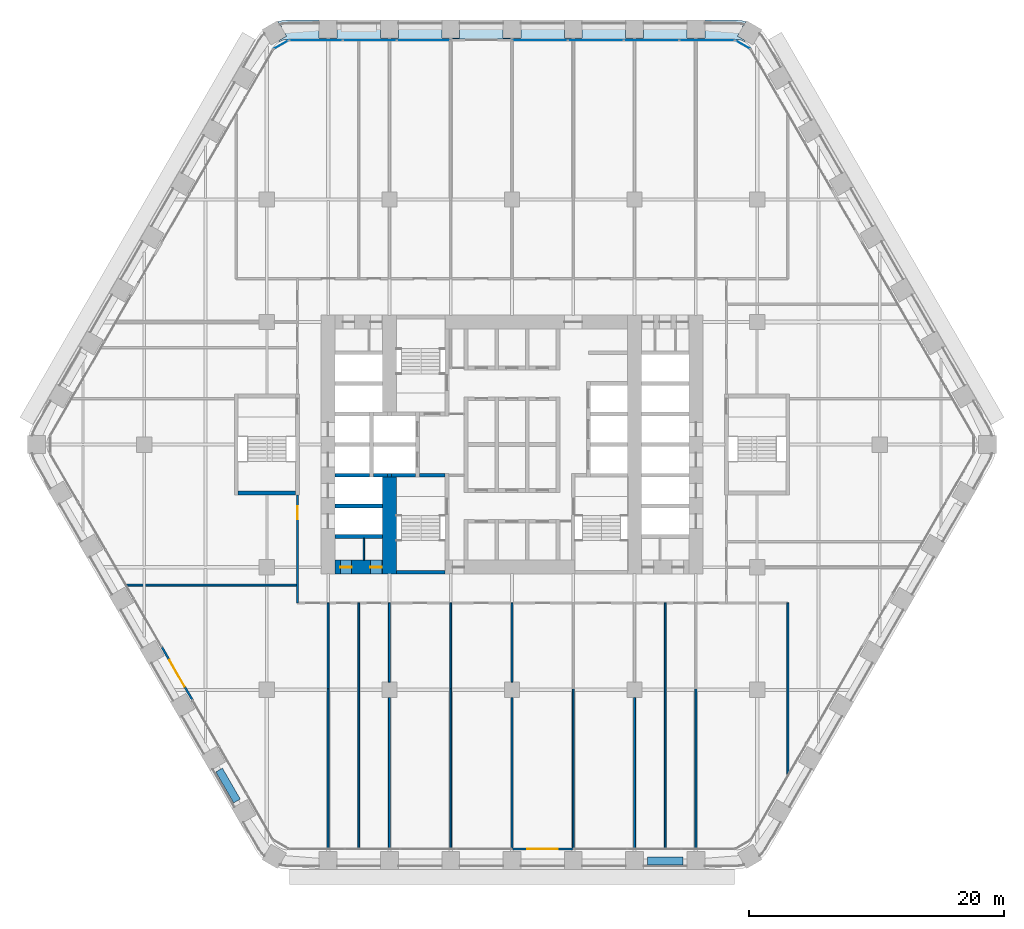
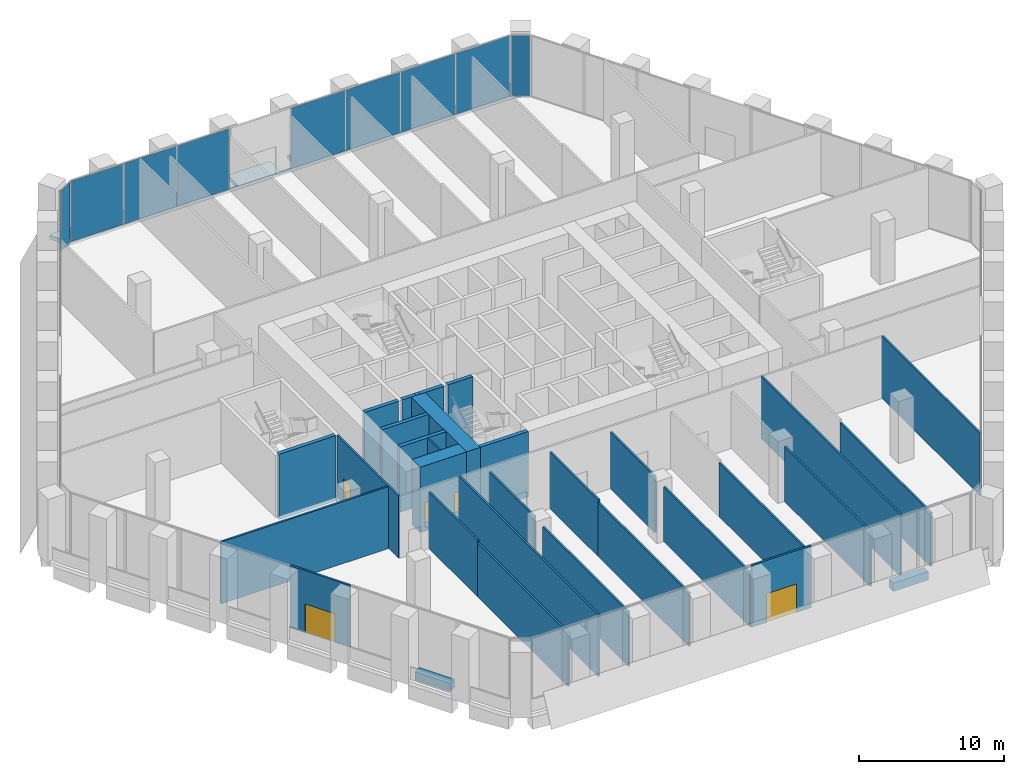
# One storey, part 17 of 27: 32 walls, 9 plates, 5 doors, 1 slab, 5 openings, 4 elements without a shape of their own.
"""IFC4 building model written with IfcOpenShell, lengths in metres."""

import ifcopenshell
import ifcopenshell.guid

model = None  # the IFC model being written
_history = None  # IfcOwnerHistory: only IFC2X3 demands one
_inside = {}  # id of a spatial element -> (the spatial element, [elements in it])
_under = {}  # id of a project, library or spatial element -> (it, [spatial elements below it])
_declared = {}  # id of a project -> (the project, [libraries it declares])
_typed = {}  # id of a type object -> (the type object, [elements of that type])
_made_of = {}  # id of a material, layer set ... -> (it, [elements and type objects made of it])


def new_model(schema):
    """Start an empty IFC model of exactly this schema.

    Asked for "IFC4X3", IfcOpenShell would pick the latest addendum, in which some entities
    have other attributes; the version numbers below select the first issue.
    IFC2X3 requires an IfcOwnerHistory on every rooted entity: one is made here for all.
    """
    global model, _history
    if schema == "IFC4X3":
        model = ifcopenshell.file(schema_version=(4, 3, 0, 0))
    else:
        model = ifcopenshell.file(schema=schema)
    _inside.clear()
    _under.clear()
    _declared.clear()
    _typed.clear()
    _made_of.clear()
    _history = None
    if model.schema == "IFC2X3":
        org = make("IfcOrganization", Name="unknown")
        user = make(
            "IfcPersonAndOrganization",
            ThePerson=make("IfcPerson", FamilyName="unknown"),
            TheOrganization=org,
        )
        app = make(
            "IfcApplication",
            ApplicationDeveloper=org,
            Version="unknown",
            ApplicationFullName="unknown",
            ApplicationIdentifier="unknown",
        )
        _history = make(
            "IfcOwnerHistory",
            OwningUser=user,
            OwningApplication=app,
            ChangeAction="ADDED",
            CreationDate=0,
        )
    return model


def make(cls, **values):
    """One entity of the class cls with the attributes given. An attribute that is None is left unset."""
    return model.create_entity(
        cls, **{name: value for name, value in values.items() if value is not None}
    )


def rooted(cls, **values):
    """An entity with a GlobalId (a new one), such as an element, a storey or a relation."""
    return make(cls, GlobalId=ifcopenshell.guid.new(), OwnerHistory=_history, **values)


def si_unit(unit_type, name, prefix=None):
    """IfcSIUnit, for example si_unit("LENGTHUNIT", "METRE", prefix="MILLI")."""
    return make("IfcSIUnit", UnitType=unit_type, Prefix=prefix, Name=name)


def assignment(units):
    """IfcUnitAssignment: the units of a project."""
    return None if units is None else make("IfcUnitAssignment", Units=units)


def point(xyz):
    """IfcCartesianPoint."""
    return None if xyz is None else make("IfcCartesianPoint", Coordinates=xyz)


def direction(xyz):
    """IfcDirection."""
    return None if xyz is None else make("IfcDirection", DirectionRatios=xyz)


def frame(location, z_axis=None, x_axis=None):
    """IfcAxis2Placement3D, a coordinate frame: its origin and axes. An axis left out is left unset."""
    return make(
        "IfcAxis2Placement3D",
        Location=point(location),
        Axis=direction(z_axis),
        RefDirection=direction(x_axis),
    )


def frame_2d(location, x_axis=None):
    """IfcAxis2Placement2D, a coordinate frame in the plane: its origin and x axis."""
    return make(
        "IfcAxis2Placement2D", Location=point(location), RefDirection=direction(x_axis)
    )


def origin():
    """The frame at (0, 0, 0) with its axes left unset."""
    return frame((0.0, 0.0, 0.0))


def origin_2d():
    """The frame at (0, 0) in the plane with its x axis left unset."""
    return frame_2d((0.0, 0.0))


def place(relative_to, where):
    """IfcLocalPlacement: puts the frame where relative to a parent placement (None: the world)."""
    return make(
        "IfcLocalPlacement", PlacementRelTo=relative_to, RelativePlacement=where
    )


def context(
    kind, dimensions, precision=None, world=None, true_north=None, identifier=None
):
    """IfcGeometricRepresentationContext, for example the 3D "Model" context."""
    return make(
        "IfcGeometricRepresentationContext",
        ContextIdentifier=identifier,
        ContextType=kind,
        CoordinateSpaceDimension=dimensions,
        Precision=precision,
        WorldCoordinateSystem=world,
        TrueNorth=true_north,
    )


def subcontext(parent, identifier, kind, view, scale=None):
    """IfcGeometricRepresentationSubContext, for example "Body" below "Model"."""
    return make(
        "IfcGeometricRepresentationSubContext",
        ContextIdentifier=identifier,
        ContextType=kind,
        ParentContext=parent,
        TargetScale=scale,
        TargetView=view,
    )


def project(units=None, contexts=None):
    """IfcProject with its units and contexts."""
    return rooted(
        "IfcProject",
        Name="project",
        RepresentationContexts=contexts,
        UnitsInContext=assignment(units),
    )


def spatial(cls, under=None, at=None, **own):
    """A site, building, storey or space (cls), placed at a placement, below another one or the project."""
    s = rooted(cls, ObjectPlacement=at, **own)
    if under is not None:
        _under.setdefault(under.id(), (under, []))[1].append(s)
    return s


def polyline(points):
    """IfcPolyline through the points."""
    return make("IfcPolyline", Points=[point(p) for p in points])


def profile(cls, at=None, kind="AREA", **sizes):
    """A parametric profile (cls). Its sizes go by their IFC names, for example OverallWidth=200.0."""
    return make(cls, ProfileType=kind, Position=at, **sizes)


def rectangle(**sizes):
    """IfcRectangleProfileDef."""
    return profile("IfcRectangleProfileDef", **sizes)


def outline(outer, holes=None, kind="AREA"):
    """IfcArbitraryClosedProfileDef: a profile drawn as a closed curve; with holes, ...WithVoids."""
    if holes is None:
        return make("IfcArbitraryClosedProfileDef", ProfileType=kind, OuterCurve=outer)
    return make(
        "IfcArbitraryProfileDefWithVoids",
        ProfileType=kind,
        OuterCurve=outer,
        InnerCurves=holes,
    )


def extrude(swept, where, along, depth):
    """IfcExtrudedAreaSolid: the profile swept, set in the frame where, extruded along a direction by depth."""
    return make(
        "IfcExtrudedAreaSolid",
        SweptArea=swept,
        Position=where,
        ExtrudedDirection=direction(along),
        Depth=depth,
    )


def shape(context_of_items, identifier, shape_type, items):
    """IfcShapeRepresentation: the items that make up one representation, for example the "Body"."""
    return make(
        "IfcShapeRepresentation",
        ContextOfItems=context_of_items,
        RepresentationIdentifier=identifier,
        RepresentationType=shape_type,
        Items=items,
    )


def material(Name=None, Category=None):
    """IfcMaterial."""
    return make("IfcMaterial", Name=Name, Category=Category)


def layer(
    of_material, thickness, ventilated=None, Name=None, Category=None, Priority=None
):
    """IfcMaterialLayer: one layer of a wall or slab, of a material (None: an air gap)."""
    return make(
        "IfcMaterialLayer",
        Material=of_material,
        LayerThickness=thickness,
        IsVentilated=ventilated,
        Name=Name,
        Category=Category,
        Priority=Priority,
    )


def layer_set(layers, Name=None):
    """IfcMaterialLayerSet."""
    return make("IfcMaterialLayerSet", MaterialLayers=layers, LayerSetName=Name)


def made_of(thing, what):
    """Note that an element or type object is made of a material, layer set ...; save() writes the relation."""
    if what is not None:
        _made_of.setdefault(what.id(), (what, []))[1].append(thing)
    return thing


def type_object(cls, material=None, **own):
    """A type object (cls), such as IfcWallType, which elements share."""
    return made_of(rooted(cls, **own), material)


def element(
    cls,
    number,
    at=None,
    inside=None,
    cuts=None,
    type_object=None,
    material=None,
    context=None,
    identifier="Body",
    shape_type=None,
    held_by="IfcProductDefinitionShape",
    body=None,
    shapes=None,
    **own,
):
    """One element of the class cls, such as IfcWall. Its Tag is "e" and its number.

    at: its placement. inside: the storey or other place that contains it. cuts: it is an
    opening in that element (IfcRelVoidsElement). A single representation is given by context,
    identifier, shape_type and body (its items); several are given by shapes. held_by: the class
    of the entity that holds the representations. save() writes the other relations.
    """
    e = rooted(cls, Tag="e%d" % number, ObjectPlacement=at, **own)
    if body is not None:
        shapes = [shape(context, identifier, shape_type, body)]
    if shapes is not None:
        e.Representation = make(held_by, Representations=shapes)
    if inside is not None:
        _inside.setdefault(inside.id(), (inside, []))[1].append(e)
    if cuts is not None:
        rooted(
            "IfcRelVoidsElement", RelatingBuildingElement=cuts, RelatedOpeningElement=e
        )
    if type_object is not None:
        _typed.setdefault(type_object.id(), (type_object, []))[1].append(e)
    return made_of(e, material)


def fill(opening, filler):
    """IfcRelFillsElement: the door or window that sits in an opening."""
    return rooted(
        "IfcRelFillsElement",
        RelatingOpeningElement=opening,
        RelatedBuildingElement=filler,
    )


def aggregate(whole, parts):
    """IfcRelAggregates: a whole, such as a stair, and the parts it consists of."""
    return rooted("IfcRelAggregates", RelatingObject=whole, RelatedObjects=parts)


def save(model, path):
    """Write the relations noted so far, then the file.

    IfcRelAggregates (storeys below a building ...), IfcRelContainedInSpatialStructure (elements
    in a storey), IfcRelDefinesByType, IfcRelAssociatesMaterial and IfcRelDeclares: one each for
    every whole, place, type object, material and project.
    """
    for whole, parts in _under.values():
        aggregate(whole, parts)
    for where, things in _inside.values():
        rooted(
            "IfcRelContainedInSpatialStructure",
            RelatedElements=things,
            RelatingStructure=where,
        )
    for kind, things in _typed.values():
        rooted("IfcRelDefinesByType", RelatedObjects=things, RelatingType=kind)
    for what, things in _made_of.values():
        rooted("IfcRelAssociatesMaterial", RelatedObjects=things, RelatingMaterial=what)
    for by, libraries in _declared.values():
        rooted("IfcRelDeclares", RelatingContext=by, RelatedDefinitions=libraries)
    model.write(path)


model = new_model("IFC4")

# Units and contexts
model_context = context("Model", 3, precision=1e-05, world=origin(), true_north=direction((0.0, 1.0)))
body_context = subcontext(model_context, "Body", "Model", "MODEL_VIEW")
ifc_project = project(units=[si_unit("LENGTHUNIT", "METRE"), si_unit("AREAUNIT", "SQUARE_METRE"), si_unit("VOLUMEUNIT", "CUBIC_METRE"), si_unit("PLANEANGLEUNIT", "RADIAN"), si_unit("MASSUNIT", "GRAM", prefix="KILO")], contexts=[model_context])

# Site, building, storey
site_placement = place(None, origin())
site = spatial("IfcSite", under=ifc_project, at=site_placement, CompositionType="ELEMENT")
building_placement = place(site_placement, origin())
building = spatial("IfcBuilding", under=site, at=building_placement, Name="Kolab Exchange Tower", CompositionType="ELEMENT")
storey_placement = place(building_placement, frame((0.0, 0.0, 66.39990234375)))
storey = spatial("IfcBuildingStorey", under=building, at=storey_placement, Name="L12", CompositionType="ELEMENT", Elevation=66.39990234375)

# Slab
ifc_material_1 = material(Name="Concrete C35/45", Category="concrete")
ifc_layer_1 = layer(ifc_material_1, 0.300048828125)
ifc_layer_set_1 = layer_set([ifc_layer_1], Name="Concrete C35/45")
slab_type = type_object("IfcSlabType", Name="LOGGIA SLAB 300", PredefinedType="FLOOR", material=ifc_layer_set_1)
slab_placement = place(storey_placement, frame((0.0, 0.0, -0.2998046875)))
element("IfcSlab", 1, at=slab_placement, inside=storey, type_object=slab_type, Name="slab/L12/loggia/0-0", PredefinedType="FLOOR", context=body_context, shape_type="SweptSolid", body=[
    extrude(outline(polyline([(18.218017578125, 31.554443359375), (18.26806640625, 31.64111328125), (17.66162109375, 31.990966796875), (18.31494140625, 33.122314453125), (17.989013671875, 33.209716796875), (17.468017578125, 33.25537109375), (15.10009765625, 33.25537109375), (15.10009765625, 31.85546875), (13.699951171875, 31.85546875), (13.699951171875, 33.25537109375), (10.300048828125, 33.25537109375), (10.300048828125, 31.85546875), (8.89990234375, 31.85546875), (8.89990234375, 33.25537109375), (5.5, 33.25537109375), (5.5, 31.85546875), (4.10009765625, 31.85546875), (4.10009765625, 33.25537109375), (0.699951171875, 33.25537109375), (0.699951171875, 31.85546875), (-0.699951171875, 31.85546875), (-0.699951171875, 33.25537109375), (-4.10009765625, 33.25537109375), (-4.10009765625, 31.85546875), (-5.5, 31.85546875), (-5.5, 33.25537109375), (-8.89990234375, 33.25537109375), (-8.89990234375, 31.85546875), (-10.300048828125, 31.85546875), (-10.300048828125, 33.25537109375), (-13.699951171875, 33.25537109375), (-13.699951171875, 31.85546875), (-15.10009765625, 31.85546875), (-15.10009765625, 33.25537109375), (-17.468017578125, 33.25537109375), (-17.989013671875, 33.209716796875), (-18.31494140625, 33.122314453125), (-17.66162109375, 31.990966796875), (-18.26806640625, 31.64111328125), (-18.218017578125, 31.554443359375), (-17.98095703125, 31.664794921875), (-17.728515625, 31.732666015625), (-17.468017578125, 31.75537109375), (17.468017578125, 31.75537109375), (17.728515625, 31.732666015625), (17.98095703125, 31.664794921875), (18.218017578125, 31.554443359375)])), origin(), (0.0, 0.0, 1.0), 0.2998046875),
])

# Curtain wall, plates
ifc_material_2 = material(Name="Aluminium EN AW-6063 T6", Category="aluminium")
curtain_wall_type = type_object("IfcCurtainWallType", Name="UNITISED LOW ZONE CURTAIN WALL", PredefinedType="NOTDEFINED", material=ifc_material_2)
curtain_wall_1_placement = place(storey_placement, origin())
curtain_wall_1 = element("IfcCurtainWall", 2, at=curtain_wall_1_placement, inside=storey, type_object=curtain_wall_type, Name="cw/L12/F1-1", PredefinedType="NOTDEFINED")
ifc_material_3 = material(Name="Clear insulated glazing unit", Category="glass")
ifc_layer_2 = layer(ifc_material_3, 0.02392578125)
ifc_layer_set_2 = layer_set([ifc_layer_2], Name="Clear insulated glazing unit")
plate_type = type_object("IfcPlateType", Name="UNITISED LOW ZONE GLASS PANEL 24", PredefinedType="CURTAIN_PANEL", material=ifc_layer_set_2)
plate_1_placement = place(storey_placement, frame((-15.341552734375, 31.67529296875, 0.06005859375), z_axis=(0.0, 0.0, 1.0), x_axis=(1.0, 0.0, 0.0)))
plate_1 = element("IfcPlate", 3, at=plate_1_placement, type_object=plate_type, Name="CW1 panel 1.1", PredefinedType="CURTAIN_PANEL", context=body_context, shape_type="SweptSolid", body=[
    extrude(rectangle(XDim=4.132568359375, YDim=0.02392578125, at=origin_2d()), origin(), (0.0, 0.0, 1.0), 5.080078125),
])
plate_2_placement = place(storey_placement, frame((-11.134033203125, 31.67529296875, 0.06005859375), z_axis=(0.0, 0.0, 1.0), x_axis=(1.0, 0.0, 0.0)))
plate_2 = element("IfcPlate", 4, at=plate_2_placement, type_object=plate_type, Name="CW1 panel 2.1", PredefinedType="CURTAIN_PANEL", context=body_context, shape_type="SweptSolid", body=[
    extrude(rectangle(XDim=4.16259765625, YDim=0.02392578125, at=origin_2d()), origin(), (0.0, 0.0, 1.0), 5.080078125),
])
plate_3_placement = place(storey_placement, frame((-6.92626953125, 31.67529296875, 0.06005859375), z_axis=(0.0, 0.0, 1.0), x_axis=(1.0, 0.0, 0.0)))
plate_3 = element("IfcPlate", 5, at=plate_3_placement, type_object=plate_type, Name="CW1 panel 3.1", PredefinedType="CURTAIN_PANEL", context=body_context, shape_type="SweptSolid", body=[
    extrude(rectangle(XDim=4.132568359375, YDim=0.02392578125, at=origin_2d()), origin(), (0.0, 0.0, 1.0), 5.080078125),
])
aggregate(curtain_wall_1, [plate_1, plate_2, plate_3])

curtain_wall_2_placement = place(storey_placement, origin())
curtain_wall_2 = element("IfcCurtainWall", 6, at=curtain_wall_2_placement, inside=storey, type_object=curtain_wall_type, Name="cw/L12/F1-2", PredefinedType="NOTDEFINED")
plate_4_placement = place(storey_placement, frame((2.198486328125, 31.67529296875, 0.06005859375), z_axis=(0.0, 0.0, 1.0), x_axis=(1.0, 0.0, 0.0)))
plate_4 = element("IfcPlate", 7, at=plate_4_placement, type_object=plate_type, Name="CW1 panel 1.1", PredefinedType="CURTAIN_PANEL", context=body_context, shape_type="SweptSolid", body=[
    extrude(rectangle(XDim=4.277099609375, YDim=0.02392578125, at=origin_2d()), origin(), (0.0, 0.0, 1.0), 5.080078125),
])
plate_5_placement = place(storey_placement, frame((6.550537109375, 31.67529296875, 0.06005859375), z_axis=(0.0, 0.0, 1.0), x_axis=(1.0, 0.0, 0.0)))
plate_5 = element("IfcPlate", 8, at=plate_5_placement, type_object=plate_type, Name="CW1 panel 2.1", PredefinedType="CURTAIN_PANEL", context=body_context, shape_type="SweptSolid", body=[
    extrude(rectangle(XDim=4.306884765625, YDim=0.02392578125, at=origin_2d()), origin(), (0.0, 0.0, 1.0), 5.080078125),
])
plate_6_placement = place(storey_placement, frame((10.91748046875, 31.67529296875, 0.06005859375), z_axis=(0.0, 0.0, 1.0), x_axis=(1.0, 0.0, 0.0)))
plate_6 = element("IfcPlate", 9, at=plate_6_placement, type_object=plate_type, Name="CW1 panel 3.1", PredefinedType="CURTAIN_PANEL", context=body_context, shape_type="SweptSolid", body=[
    extrude(rectangle(XDim=4.306884765625, YDim=0.02392578125, at=origin_2d()), origin(), (0.0, 0.0, 1.0), 5.080078125),
])
plate_7_placement = place(storey_placement, frame((15.26953125, 31.67529296875, 0.06005859375), z_axis=(0.0, 0.0, 1.0), x_axis=(1.0, 0.0, 0.0)))
plate_7 = element("IfcPlate", 10, at=plate_7_placement, type_object=plate_type, Name="CW1 panel 4.1", PredefinedType="CURTAIN_PANEL", context=body_context, shape_type="SweptSolid", body=[
    extrude(rectangle(XDim=4.277099609375, YDim=0.02392578125, at=origin_2d()), origin(), (0.0, 0.0, 1.0), 5.080078125),
])
aggregate(curtain_wall_2, [plate_4, plate_5, plate_6, plate_7])

# Curtain wall, plate
curtain_wall_3_placement = place(storey_placement, origin())
curtain_wall_3 = element("IfcCurtainWall", 11, at=curtain_wall_3_placement, inside=storey, type_object=curtain_wall_type, Name="cw/L12/F1F2-corner", PredefinedType="NOTDEFINED")
plate_8_placement = place(storey_placement, frame((18.082763671875, 31.3203125, 0.06005859375), z_axis=(0.0, 0.0, 1.0), x_axis=(0.866025390869, -0.50000002237, 0.0)))
plate_8 = element("IfcPlate", 12, at=plate_8_placement, type_object=plate_type, Name="CW1 panel 1.1", PredefinedType="CURTAIN_PANEL", context=body_context, shape_type="SweptSolid", body=[
    extrude(rectangle(XDim=1.300048828125, YDim=0.02392578125, at=origin_2d()), origin(), (0.0, 0.0, 1.0), 5.080078125),
])
aggregate(curtain_wall_3, [plate_8])

curtain_wall_4_placement = place(storey_placement, origin())
curtain_wall_4 = element("IfcCurtainWall", 13, at=curtain_wall_4_placement, inside=storey, type_object=curtain_wall_type, Name="cw/L12/F6F1-corner", PredefinedType="NOTDEFINED")
plate_9_placement = place(storey_placement, frame((-18.082763671875, 31.3203125, 0.06005859375), z_axis=(0.0, 0.0, 1.0), x_axis=(0.866025390869, 0.50000002237, 0.0)))
plate_9 = element("IfcPlate", 14, at=plate_9_placement, type_object=plate_type, Name="CW1 panel 1.1", PredefinedType="CURTAIN_PANEL", context=body_context, shape_type="SweptSolid", body=[
    extrude(rectangle(XDim=1.300048828125, YDim=0.02392578125, at=origin_2d()), origin(), (0.0, 0.0, 1.0), 5.080078125),
])
aggregate(curtain_wall_4, [plate_9])

# Wall, openings, doors
ifc_material_4 = material(Name="Concrete C80/95", Category="concrete")
ifc_layer_3 = layer(ifc_material_4, 1.10009765625)
ifc_layer_set_3 = layer_set([ifc_layer_3], Name="Concrete C80/95")
wall_type_1 = type_object("IfcWallType", Name="CORE WALL 1100 C80/95", PredefinedType="SHEAR", material=ifc_layer_set_3)
wall_1_placement = place(storey_placement, frame((-13.85009765625, -9.60009765625, -0.2998046875), z_axis=(0.0, 0.0, 1.0), x_axis=(1.0, 0.0, 0.0)))
wall_1 = element("IfcWall", 15, at=wall_1_placement, inside=storey, type_object=wall_type_1, Name="wall/L12/core/002", PredefinedType="SHEAR", context=body_context, shape_type="SweptSolid", body=[
    extrude(rectangle(XDim=3.7001953125, YDim=1.10009765625, at=frame_2d((1.85009765625, 0.0))), origin(), (0.0, 0.0, 1.0), 5.5),
])
opening_1_placement = place(wall_1_placement, frame((0.39990234375, 0.0, 0.300048828125)))
opening_1 = element("IfcOpeningElement", 16, at=opening_1_placement, cuts=wall_1, Name="Opening D6-163", PredefinedType="OPENING", context=body_context, shape_type="SweptSolid", body=[
    extrude(rectangle(XDim=0.89990234375, YDim=2.10009765625, at=frame_2d((0.449951171875, 1.050048828125))), frame((0.0, 0.56005859375, 0.0), z_axis=(0.0, -1.0, 0.0), x_axis=(1.0, 0.0, 0.0)), (0.0, 0.0, 1.0), 1.1201171875),
])
opening_2_placement = place(wall_1_placement, frame((2.75, 0.0, 0.300048828125)))
opening_2 = element("IfcOpeningElement", 17, at=opening_2_placement, cuts=wall_1, Name="Opening D6-164", PredefinedType="OPENING", context=body_context, shape_type="SweptSolid", body=[
    extrude(rectangle(XDim=0.89990234375, YDim=2.10009765625, at=frame_2d((0.449951171875, 1.050048828125))), frame((0.0, 0.56005859375, 0.0), z_axis=(0.0, -1.0, 0.0), x_axis=(1.0, 0.0, 0.0)), (0.0, 0.0, 1.0), 1.1201171875),
])
ifc_material_5 = material(Name="Steel S235", Category="steel")
door_type_1 = type_object("IfcDoorType", Name="CORE DOOR 900 EI 120", OperationType="SINGLE_SWING_LEFT", PredefinedType="DOOR", material=ifc_material_5)
door_1_placement = place(opening_1_placement, origin())
door_1 = element("IfcDoor", 18, at=door_1_placement, inside=storey, type_object=door_type_1, Name="Service room door", OperationType="SINGLE_SWING_LEFT", OverallHeight=2.10009765625, OverallWidth=0.89990234375, PredefinedType="DOOR", context=body_context, shape_type="SweptSolid", body=[
    extrude(rectangle(XDim=0.89990234375, YDim=2.10009765625, at=frame_2d((0.449951171875, 1.050048828125))), frame((0.0, 0.02490234375, 0.0), z_axis=(0.0, -1.0, 0.0), x_axis=(1.0, 0.0, 0.0)), (0.0, 0.0, 1.0), 0.050048828125),
])
fill(opening_1, door_1)
door_2_placement = place(opening_2_placement, origin())
door_2 = element("IfcDoor", 19, at=door_2_placement, inside=storey, type_object=door_type_1, Name="Service room door", OperationType="SINGLE_SWING_LEFT", OverallHeight=2.10009765625, OverallWidth=0.89990234375, PredefinedType="DOOR", context=body_context, shape_type="SweptSolid", body=[
    extrude(rectangle(XDim=0.89990234375, YDim=2.10009765625, at=frame_2d((0.449951171875, 1.050048828125))), frame((0.0, 0.02490234375, 0.0), z_axis=(0.0, -1.0, 0.0), x_axis=(1.0, 0.0, 0.0)), (0.0, 0.0, 1.0), 0.050048828125),
])
fill(opening_2, door_2)

# Wall
wall_2_placement = place(storey_placement, frame((-9.60009765625, -10.14990234375, -0.2998046875), z_axis=(0.0, 0.0, 1.0), x_axis=(0.0, 1.0, 0.0)))
element("IfcWall", 20, at=wall_2_placement, inside=storey, type_object=wall_type_1, Name="wall/L12/core/059", PredefinedType="SHEAR", context=body_context, shape_type="SweptSolid", body=[
    extrude(rectangle(XDim=7.599853515625, YDim=1.10009765625, at=frame_2d((3.7998046875, 0.0))), origin(), (0.0, 0.0, 1.0), 5.5),
])

# Wall, opening, door
ifc_layer_4 = layer(ifc_material_2, 0.159912109375)
ifc_layer_set_4 = layer_set([ifc_layer_4], Name="Aluminium EN AW-6063 T6")
wall_type_2 = type_object("IfcWallType", Name="DOOR SURROUND WALL 160 ALUMINIUM FRAMED", PredefinedType="PARTITIONING", material=ifc_layer_set_4)
wall_3_placement = place(storey_placement, frame((4.77001953125, -31.67529296875, 0.0), z_axis=(0.0, 0.0, 1.0), x_axis=(-1.0, 0.0, 0.0)))
wall_3 = element("IfcWall", 21, at=wall_3_placement, inside=storey, type_object=wall_type_2, Name="Door surround wall", PredefinedType="PARTITIONING", context=body_context, shape_type="SweptSolid", body=[
    extrude(rectangle(XDim=4.739990234375, YDim=0.159912109375, at=frame_2d((2.3701171875, 0.0))), origin(), (0.0, 0.0, 1.0), 5.2001953125),
])
opening_3_placement = place(wall_3_placement, frame((1.169921875, 0.0, 0.0)))
opening_3 = element("IfcOpeningElement", 22, at=opening_3_placement, cuts=wall_3, Name="Opening GD1-026", PredefinedType="OPENING", context=body_context, shape_type="SweptSolid", body=[
    extrude(rectangle(XDim=2.39990234375, YDim=2.39990234375, at=frame_2d((1.199951171875, 1.199951171875))), frame((0.0, 0.08984375, 0.0), z_axis=(0.0, -1.0, 0.0), x_axis=(1.0, 0.0, 0.0)), (0.0, 0.0, 1.0), 0.179931640625),
])
door_type_2 = type_object("IfcDoorType", Name="LOGGIA SLIDING GLASS DOOR 2400 X 2400", OperationType="DOUBLE_DOOR_SINGLE_SWING", PredefinedType="DOOR", material=ifc_material_2)
door_3_placement = place(opening_3_placement, origin())
door_3 = element("IfcDoor", 23, at=door_3_placement, inside=storey, type_object=door_type_2, Name="Loggia door", OperationType="DOUBLE_DOOR_SLIDING", OverallHeight=2.39990234375, OverallWidth=2.39990234375, PredefinedType="DOOR", context=body_context, shape_type="SweptSolid", body=[
    extrude(rectangle(XDim=2.39990234375, YDim=2.39990234375, at=frame_2d((1.199951171875, 1.199951171875))), frame((0.0, 0.02490234375, 0.0), z_axis=(0.0, -1.0, 0.0), x_axis=(1.0, 0.0, 0.0)), (0.0, 0.0, 1.0), 0.050048828125),
])
fill(opening_3, door_3)

wall_4_placement = place(storey_placement, frame((-25.046630859375, -19.96875, 0.0), z_axis=(0.0, 0.0, 1.0), x_axis=(-0.5000167099, 0.866015756104, 0.0)))
wall_4 = element("IfcWall", 24, at=wall_4_placement, inside=storey, type_object=wall_type_2, Name="Door surround wall", PredefinedType="PARTITIONING", context=body_context, shape_type="SweptSolid", body=[
    extrude(rectangle(XDim=4.739990234375, YDim=0.159912109375, at=frame_2d((2.3701171875, 0.0))), origin(), (0.0, 0.0, 1.0), 5.2001953125),
])
opening_4_placement = place(wall_4_placement, frame((1.169921875, 0.0, 0.0)))
opening_4 = element("IfcOpeningElement", 25, at=opening_4_placement, cuts=wall_4, Name="Opening GD1-027", PredefinedType="OPENING", context=body_context, shape_type="SweptSolid", body=[
    extrude(rectangle(XDim=2.39990234375, YDim=2.39990234375, at=frame_2d((1.199951171875, 1.199951171875))), frame((0.0, 0.08984375, 0.0), z_axis=(0.0, -1.0, 0.0), x_axis=(1.0, 0.0, 0.0)), (0.0, 0.0, 1.0), 0.179931640625),
])
door_4_placement = place(opening_4_placement, origin())
door_4 = element("IfcDoor", 26, at=door_4_placement, inside=storey, type_object=door_type_2, Name="Loggia door", OperationType="DOUBLE_DOOR_SLIDING", OverallHeight=2.39990234375, OverallWidth=2.39990234375, PredefinedType="DOOR", context=body_context, shape_type="SweptSolid", body=[
    extrude(rectangle(XDim=2.39990234375, YDim=2.39990234375, at=frame_2d((1.199951171875, 1.199951171875))), frame((0.0, 0.02490234375, 0.0), z_axis=(0.0, -1.0, 0.0), x_axis=(1.0, 0.0, 0.0)), (0.0, 0.0, 1.0), 0.050048828125),
])
fill(opening_4, door_4)

# Walls
ifc_material_6 = material(Name="Concrete C50/60", Category="concrete")
ifc_layer_5 = layer(ifc_material_6, 0.300048828125)
ifc_layer_set_5 = layer_set([ifc_layer_5], Name="Concrete C50/60")
wall_type_3 = type_object("IfcWallType", Name="LIFT SHAFT WALL 300 C50/60", PredefinedType="STANDARD", material=ifc_layer_set_5)
for number, where, z_axis, x_axis, name in (
    (27, (-13.85009765625, -7.199951171875, -0.2998046875), (0.0, 0.0, 1.0), (1.0, 0.0, 0.0), "wall/L12/core/005"),
    (28, (-13.85009765625, -4.800048828125, -0.2998046875), (0.0, 0.0, 1.0), (1.0, 0.0, 0.0), "wall/L12/core/010"),
):
    element("IfcWall", number, at=place(storey_placement, frame(where, z_axis=z_axis, x_axis=x_axis)), inside=storey, type_object=wall_type_3, Name=name, PredefinedType="STANDARD", context=body_context, shape_type="SweptSolid", body=[
        extrude(rectangle(XDim=3.7001953125, YDim=0.300048828125, at=frame_2d((1.85009765625, 0.0))), origin(), (0.0, 0.0, 1.0), 5.5),
    ])
wall_5_placement = place(storey_placement, frame((-13.85009765625, -2.39990234375, -0.2998046875), z_axis=(0.0, 0.0, 1.0), x_axis=(1.0, 0.0, 0.0)))
element("IfcWall", 29, at=wall_5_placement, inside=storey, type_object=wall_type_3, Name="wall/L12/core/017", PredefinedType="STANDARD", context=body_context, shape_type="SweptSolid", body=[
    extrude(rectangle(XDim=2.7001953125, YDim=0.300048828125, at=frame_2d((1.35009765625, 0.0))), origin(), (0.0, 0.0, 1.0), 5.5),
])
wall_6_placement = place(storey_placement, frame((-10.85009765625, -2.39990234375, -0.2998046875), z_axis=(0.0, 0.0, 1.0), x_axis=(1.0, 0.0, 0.0)))
element("IfcWall", 30, at=wall_6_placement, inside=storey, type_object=wall_type_3, Name="wall/L12/core/018", PredefinedType="STANDARD", context=body_context, shape_type="SweptSolid", body=[
    extrude(rectangle(XDim=1.10009765625, YDim=0.300048828125, at=frame_2d((0.550048828125, 0.0))), origin(), (0.0, 0.0, 1.0), 5.5),
])
ifc_material_7 = material(Name="Gypsum board", Category="gypsum")
ifc_layer_6 = layer(ifc_material_7, 0.10009765625)
ifc_layer_set_6 = layer_set([ifc_layer_6], Name="Gypsum board")
wall_type_4 = type_object("IfcWallType", Name="PARTITION 100", PredefinedType="PARTITIONING", material=ifc_layer_set_6)
wall_7_placement = place(storey_placement, frame((-11.60009765625, -9.050048828125, 0.0), z_axis=(0.0, 0.0, 1.0), x_axis=(0.0, 1.0, 0.0)))
element("IfcWall", 31, at=wall_7_placement, inside=storey, type_object=wall_type_4, Name="Partition 028", PredefinedType="PARTITIONING", context=body_context, shape_type="SweptSolid", body=[
    extrude(rectangle(XDim=1.699951171875, YDim=0.10009765625, at=frame_2d((0.85009765625, 0.0))), origin(), (0.0, 0.0, 1.0), 5.2001953125),
])
ifc_layer_7 = layer(ifc_material_7, 0.14990234375)
ifc_layer_set_7 = layer_set([ifc_layer_7], Name="Gypsum board")
wall_type_5 = type_object("IfcWallType", Name="PARTITION 150 FIRE-RATED", PredefinedType="PARTITIONING", material=ifc_layer_set_7)
wall_8_placement = place(storey_placement, frame((21.60009765625, -25.8583984375, 0.0), z_axis=(0.0, 0.0, 1.0), x_axis=(0.0, 1.0, 0.0)))
element("IfcWall", 32, at=wall_8_placement, inside=storey, type_object=wall_type_5, Name="Partition 000", PredefinedType="PARTITIONING", context=body_context, shape_type="SweptSolid", body=[
    extrude(rectangle(XDim=13.45849609375, YDim=0.14990234375, at=frame_2d((6.729248046875, 0.0))), origin(), (0.0, 0.0, 1.0), 5.2001953125),
])
wall_9_placement = place(storey_placement, frame((14.39990234375, -31.58544921875, 0.0), z_axis=(0.0, 0.0, 1.0), x_axis=(0.0, 1.0, 0.0)))
element("IfcWall", 33, at=wall_9_placement, inside=storey, type_object=wall_type_5, Name="Partition 004", PredefinedType="PARTITIONING", context=body_context, shape_type="SweptSolid", body=[
    extrude(rectangle(XDim=12.472412109375, YDim=0.14990234375, at=frame_2d((6.236328125, 0.0))), origin(), (0.0, 0.0, 1.0), 4.51611328125),
])
wall_10_placement = place(storey_placement, frame((12.0, -31.58544921875, 0.0), z_axis=(0.0, 0.0, 1.0), x_axis=(0.0, 1.0, 0.0)))
element("IfcWall", 34, at=wall_10_placement, inside=storey, type_object=wall_type_5, Name="Partition 007", PredefinedType="PARTITIONING", context=body_context, shape_type="SweptSolid", body=[
    extrude(rectangle(XDim=19.185546875, YDim=0.14990234375, at=frame_2d((9.5927734375, 0.0))), origin(), (0.0, 0.0, 1.0), 5.2001953125),
])
wall_11_placement = place(storey_placement, frame((9.60009765625, -31.58544921875, 0.0), z_axis=(0.0, 0.0, 1.0), x_axis=(0.0, 1.0, 0.0)))
element("IfcWall", 35, at=wall_11_placement, inside=storey, type_object=wall_type_5, Name="Partition 010", PredefinedType="PARTITIONING", context=body_context, shape_type="SweptSolid", body=[
    extrude(rectangle(XDim=11.785400390625, YDim=0.14990234375, at=frame_2d((5.892578125, 0.0))), origin(), (0.0, 0.0, 1.0), 4.592041015625),
])
wall_12_placement = place(storey_placement, frame((4.800048828125, -31.595458984375, 0.0), z_axis=(0.0, 0.0, 1.0), x_axis=(0.0, 1.0, 0.0)))
element("IfcWall", 36, at=wall_12_placement, inside=storey, type_object=wall_type_5, Name="Partition 014", PredefinedType="PARTITIONING", context=body_context, shape_type="SweptSolid", body=[
    extrude(rectangle(XDim=12.482421875, YDim=0.14990234375, at=frame_2d((6.2412109375, 0.0))), origin(), (0.0, 0.0, 1.0), 4.51611328125),
])
wall_13_placement = place(storey_placement, frame((0.0, -31.595458984375, 0.0), z_axis=(0.0, 0.0, 1.0), x_axis=(0.0, 1.0, 0.0)))
element("IfcWall", 37, at=wall_13_placement, inside=storey, type_object=wall_type_5, Name="Partition 016", PredefinedType="PARTITIONING", context=body_context, shape_type="SweptSolid", body=[
    extrude(rectangle(XDim=11.79541015625, YDim=0.14990234375, at=frame_2d((5.897705078125, 0.0))), origin(), (0.0, 0.0, 1.0), 4.592041015625),
])
wall_14_placement = place(storey_placement, frame((0.0, -18.60009765625, 0.0), z_axis=(0.0, 0.0, 1.0), x_axis=(0.0, 1.0, 0.0)))
element("IfcWall", 38, at=wall_14_placement, inside=storey, type_object=wall_type_5, Name="Partition 017", PredefinedType="PARTITIONING", context=body_context, shape_type="SweptSolid", body=[
    extrude(rectangle(XDim=6.2001953125, YDim=0.14990234375, at=frame_2d((3.10009765625, 0.0))), origin(), (0.0, 0.0, 1.0), 4.7431640625),
])
wall_15_placement = place(storey_placement, frame((-4.800048828125, -31.58544921875, 0.0), z_axis=(0.0, 0.0, 1.0), x_axis=(0.0, 1.0, 0.0)))
element("IfcWall", 39, at=wall_15_placement, inside=storey, type_object=wall_type_5, Name="Partition 020", PredefinedType="PARTITIONING", context=body_context, shape_type="SweptSolid", body=[
    extrude(rectangle(XDim=12.472412109375, YDim=0.14990234375, at=frame_2d((6.236328125, 0.0))), origin(), (0.0, 0.0, 1.0), 4.51611328125),
])
wall_16_placement = place(storey_placement, frame((-4.800048828125, -19.113037109375, 0.0), z_axis=(0.0, 0.0, 1.0), x_axis=(0.0, 1.0, 0.0)))
element("IfcWall", 40, at=wall_16_placement, inside=storey, type_object=wall_type_5, Name="Partition 020", PredefinedType="PARTITIONING", context=body_context, shape_type="SweptSolid", body=[
    extrude(rectangle(XDim=6.713134765625, YDim=0.14990234375, at=frame_2d((3.3564453125, 0.0))), origin(), (0.0, 0.0, 1.0), 4.7431640625),
])
wall_17_placement = place(storey_placement, frame((-9.60009765625, -31.58544921875, 0.0), z_axis=(0.0, 0.0, 1.0), x_axis=(0.0, 1.0, 0.0)))
element("IfcWall", 41, at=wall_17_placement, inside=storey, type_object=wall_type_5, Name="Partition 023", PredefinedType="PARTITIONING", context=body_context, shape_type="SweptSolid", body=[
    extrude(rectangle(XDim=11.785400390625, YDim=0.14990234375, at=frame_2d((5.892578125, 0.0))), origin(), (0.0, 0.0, 1.0), 4.592041015625),
])
wall_18_placement = place(storey_placement, frame((-9.60009765625, -18.60009765625, 0.0), z_axis=(0.0, 0.0, 1.0), x_axis=(0.0, 1.0, 0.0)))
element("IfcWall", 42, at=wall_18_placement, inside=storey, type_object=wall_type_5, Name="Partition 024", PredefinedType="PARTITIONING", context=body_context, shape_type="SweptSolid", body=[
    extrude(rectangle(XDim=6.2001953125, YDim=0.14990234375, at=frame_2d((3.10009765625, 0.0))), origin(), (0.0, 0.0, 1.0), 4.7431640625),
])
wall_19_placement = place(storey_placement, frame((-12.0, -31.58544921875, 0.0), z_axis=(0.0, 0.0, 1.0), x_axis=(0.0, 1.0, 0.0)))
element("IfcWall", 43, at=wall_19_placement, inside=storey, type_object=wall_type_5, Name="Partition 029", PredefinedType="PARTITIONING", context=body_context, shape_type="SweptSolid", body=[
    extrude(rectangle(XDim=19.185546875, YDim=0.14990234375, at=frame_2d((9.5927734375, 0.0))), origin(), (0.0, 0.0, 1.0), 5.2001953125),
])
wall_20_placement = place(storey_placement, frame((-14.39990234375, -31.58544921875, 0.0), z_axis=(0.0, 0.0, 1.0), x_axis=(0.0, 1.0, 0.0)))
element("IfcWall", 44, at=wall_20_placement, inside=storey, type_object=wall_type_5, Name="Partition 031", PredefinedType="PARTITIONING", context=body_context, shape_type="SweptSolid", body=[
    extrude(rectangle(XDim=12.472412109375, YDim=0.14990234375, at=frame_2d((6.236328125, 0.0))), origin(), (0.0, 0.0, 1.0), 4.51611328125),
])
wall_21_placement = place(storey_placement, frame((-14.39990234375, -19.113037109375, 0.0), z_axis=(0.0, 0.0, 1.0), x_axis=(0.0, 1.0, 0.0)))
element("IfcWall", 45, at=wall_21_placement, inside=storey, type_object=wall_type_5, Name="Partition 031", PredefinedType="PARTITIONING", context=body_context, shape_type="SweptSolid", body=[
    extrude(rectangle(XDim=6.713134765625, YDim=0.14990234375, at=frame_2d((3.3564453125, 0.0))), origin(), (0.0, 0.0, 1.0), 4.7431640625),
])

# Wall, opening, door
wall_22_placement = place(storey_placement, frame((-16.800048828125, -12.39990234375, 0.0), z_axis=(0.0, 0.0, 1.0), x_axis=(0.0, 1.0, 0.0)))
wall_22 = element("IfcWall", 46, at=wall_22_placement, inside=storey, type_object=wall_type_5, Name="Partition 032", PredefinedType="PARTITIONING", context=body_context, shape_type="SweptSolid", body=[
    extrude(rectangle(XDim=8.449951171875, YDim=0.14990234375, at=frame_2d((4.22509765625, 0.0))), origin(), (0.0, 0.0, 1.0), 5.2001953125),
])
opening_5_placement = place(wall_22_placement, frame((6.56494140625, 0.0, 0.0)))
opening_5 = element("IfcOpeningElement", 47, at=opening_5_placement, cuts=wall_22, Name="Opening D1-167", PredefinedType="OPENING", context=body_context, shape_type="SweptSolid", body=[
    extrude(rectangle(XDim=1.0, YDim=2.10009765625, at=frame_2d((0.5, 1.050048828125))), frame((0.0, 0.0849609375, 0.0), z_axis=(0.0, -1.0, 0.0), x_axis=(1.0, 0.0, 0.0)), (0.0, 0.0, 1.0), 0.169921875),
])
door_type_3 = type_object("IfcDoorType", Name="FLUSH DOOR 1000 FD60", OperationType="SINGLE_SWING_LEFT", PredefinedType="DOOR", material=ifc_material_5)
door_5_placement = place(opening_5_placement, origin())
door_5 = element("IfcDoor", 48, at=door_5_placement, inside=storey, type_object=door_type_3, Name="Door L12-073", OperationType="SINGLE_SWING_RIGHT", OverallHeight=2.10009765625, OverallWidth=1.0, PredefinedType="DOOR", context=body_context, shape_type="SweptSolid", body=[
    extrude(rectangle(XDim=1.0, YDim=2.10009765625, at=frame_2d((0.5, 1.050048828125))), frame((0.0, 0.02490234375, 0.0), z_axis=(0.0, -1.0, 0.0), x_axis=(1.0, 0.0, 0.0)), (0.0, 0.0, 1.0), 0.050048828125),
])
fill(opening_5, door_5)

# Walls
wall_23_placement = place(storey_placement, frame((-30.178466796875, -11.0, 0.0), z_axis=(0.0, 0.0, 1.0), x_axis=(1.0, 0.0, 0.0)))
element("IfcWall", 49, at=wall_23_placement, inside=storey, type_object=wall_type_5, Name="Partition 036", PredefinedType="PARTITIONING", context=body_context, shape_type="SweptSolid", body=[
    extrude(rectangle(XDim=13.37841796875, YDim=0.14990234375, at=frame_2d((6.689208984375, 0.0))), origin(), (0.0, 0.0, 1.0), 5.2001953125),
])
ifc_material_8 = material(Name="Granite facing", Category="masonry")
ifc_layer_8 = layer(ifc_material_8, 0.0400390625)
ifc_material_9 = material(Name="Concrete C40/50 precast", Category="concrete")
ifc_layer_9 = layer(ifc_material_9, 0.56005859375)
ifc_layer_set_8 = layer_set([ifc_layer_8, ifc_layer_9], Name="Concrete C40/50 precast")
wall_type_6 = type_object("IfcWallType", Name="PLANTER BOX 600 X 700 SOIL DEPTH 550", PredefinedType="USERDEFINED", material=ifc_layer_set_8)
for number, where, z_axis, x_axis, name in (
    (50, (13.39990234375, -32.60546875, 0.0), (0.0, 0.0, 1.0), (-1.0, 0.0, 0.0), "Planter"),
    (51, (-21.537109375, -27.907470703125, 0.0), (0.0, 0.0, 1.0), (-0.49998411664, 0.866034573852, 0.0), "Planter"),
):
    element("IfcWall", number, at=place(storey_placement, frame(where, z_axis=z_axis, x_axis=x_axis)), inside=storey, type_object=wall_type_6, Name=name, ObjectType="PLANTER", PredefinedType="USERDEFINED", context=body_context, shape_type="SweptSolid", body=[
        extrude(rectangle(XDim=2.7998046875, YDim=0.60009765625, at=frame_2d((1.39990234375, 0.0))), origin(), (0.0, 0.0, 1.0), 0.7001953125),
    ])
ifc_layer_10 = layer(ifc_material_6, 0.300048828125)
ifc_layer_set_9 = layer_set([ifc_layer_10], Name="Concrete C50/60")
wall_type_7 = type_object("IfcWallType", Name="STAIR ENCLOSURE WALL 300 C50/60", PredefinedType="STANDARD", material=ifc_layer_set_9)
wall_24_placement = place(storey_placement, frame((-9.050048828125, -10.0, -0.2998046875), z_axis=(0.0, 0.0, 1.0), x_axis=(1.0, 0.0, 0.0)))
element("IfcWall", 52, at=wall_24_placement, inside=storey, type_object=wall_type_7, Name="wall/L12/core/000", PredefinedType="STANDARD", context=body_context, shape_type="SweptSolid", body=[
    extrude(rectangle(XDim=3.800048828125, YDim=0.300048828125, at=frame_2d((1.89990234375, 0.0))), origin(), (0.0, 0.0, 1.0), 5.5),
])
wall_25_placement = place(storey_placement, frame((-21.449951171875, -3.800048828125, -0.2998046875), z_axis=(0.0, 0.0, 1.0), x_axis=(1.0, 0.0, 0.0)))
element("IfcWall", 53, at=wall_25_placement, inside=storey, type_object=wall_type_7, Name="wall/L12/core/012", PredefinedType="STANDARD", context=body_context, shape_type="SweptSolid", body=[
    extrude(rectangle(XDim=4.5, YDim=0.300048828125, at=frame_2d((2.25, 0.0))), origin(), (0.0, 0.0, 1.0), 5.5),
])
wall_26_placement = place(storey_placement, frame((-9.449951171875, -2.39990234375, -0.2998046875), z_axis=(0.0, 0.0, 1.0), x_axis=(1.0, 0.0, 0.0)))
element("IfcWall", 54, at=wall_26_placement, inside=storey, type_object=wall_type_7, Name="wall/L12/core/019", PredefinedType="STANDARD", context=body_context, shape_type="SweptSolid", body=[
    extrude(rectangle(XDim=1.89990234375, YDim=0.300048828125, at=frame_2d((0.949951171875, 0.0))), origin(), (0.0, 0.0, 1.0), 5.5),
])
wall_27_placement = place(storey_placement, frame((-7.25, -2.39990234375, -0.2998046875), z_axis=(0.0, 0.0, 1.0), x_axis=(1.0, 0.0, 0.0)))
element("IfcWall", 55, at=wall_27_placement, inside=storey, type_object=wall_type_7, Name="wall/L12/core/020", PredefinedType="STANDARD", context=body_context, shape_type="SweptSolid", body=[
    extrude(rectangle(XDim=2.0, YDim=0.300048828125, at=frame_2d((1.0, 0.0))), origin(), (0.0, 0.0, 1.0), 5.5),
])
wall_28_placement = place(storey_placement, frame((-9.60009765625, -2.550048828125, -0.2998046875), z_axis=(0.0, 0.0, 1.0), x_axis=(0.0, 1.0, 0.0)))
element("IfcWall", 56, at=wall_28_placement, inside=storey, type_object=wall_type_7, Name="wall/L12/core/060", PredefinedType="STANDARD", context=body_context, shape_type="SweptSolid", body=[
    extrude(rectangle(XDim=0.300048828125, YDim=0.300048828125, at=frame_2d((0.14990234375, 0.0))), origin(), (0.0, 0.0, 1.0), 5.5),
])

save(model, "model.ifc")
